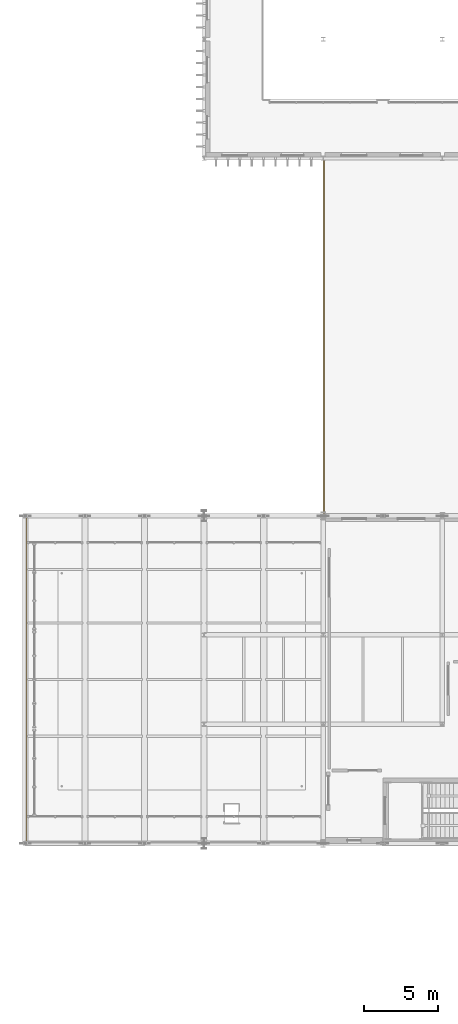
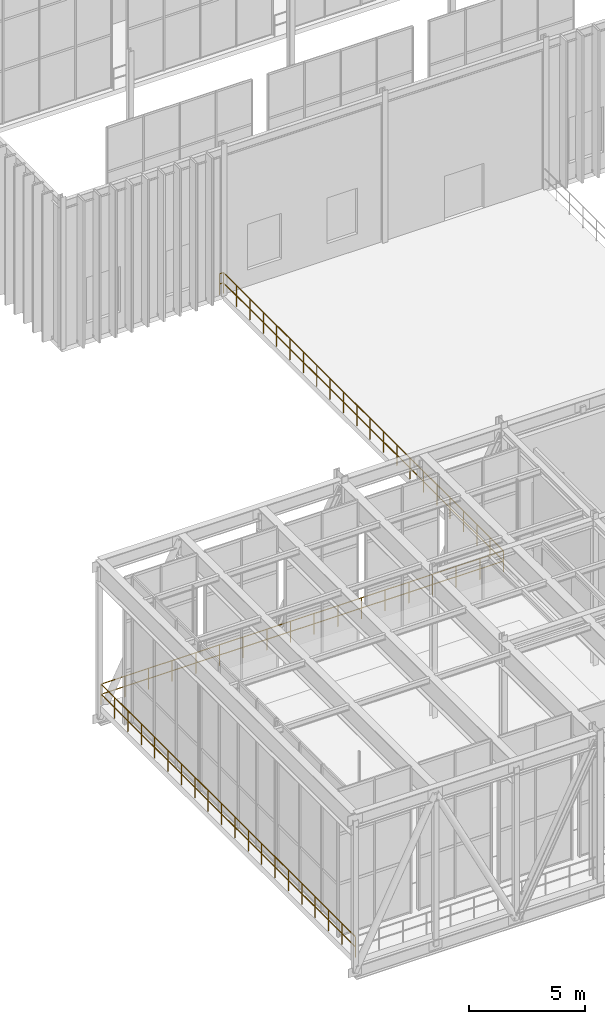
# One storey, part 126 of 138: 1 railing.
"""IFC4 building model written with IfcOpenShell, lengths in metres."""

from ifc_helpers import new_model, si_unit, direction, frame, origin, origin_2d, place, context, subcontext, project, spatial, circle, extrude, material, type_object, element, save


model = new_model("IFC4")

# Units and contexts
model_context = context("Model", 3, precision=1e-05, world=origin(), true_north=direction((0.0, 1.0)))
body_context = subcontext(model_context, "Body", "Model", "MODEL_VIEW")
ifc_project = project(units=[si_unit("LENGTHUNIT", "METRE"), si_unit("AREAUNIT", "SQUARE_METRE"), si_unit("VOLUMEUNIT", "CUBIC_METRE"), si_unit("PLANEANGLEUNIT", "RADIAN"), si_unit("MASSUNIT", "GRAM", prefix="KILO")], contexts=[model_context])

# Site, building, storey
site_placement = place(None, origin())
site = spatial("IfcSite", under=ifc_project, at=site_placement, CompositionType="ELEMENT")
building_placement = place(site_placement, origin())
building = spatial("IfcBuilding", under=site, at=building_placement, Name="Sundkrona Museum", CompositionType="ELEMENT")
storey_placement = place(building_placement, frame((0.0, 0.0, 9.60009765625)))
storey = spatial("IfcBuildingStorey", under=building, at=storey_placement, Name="L02", CompositionType="ELEMENT", Elevation=9.60009765625)

# Railing
ifc_material = material(Name="Painted Steel S355J2 and Laminated Glass Balustrade", Category="steel")
railing_type = type_object("IfcRailingType", Name="RL-GUARD-1100", PredefinedType="BALUSTRADE", material=ifc_material)
railing_placement = place(storey_placement, frame((4.06005859375, 32.06005859375, 0.0)))
element("IfcRailing", 1, at=railing_placement, inside=storey, type_object=railing_type, Name="L02 Edge Protection Balustrade 002", PredefinedType="BALUSTRADE", context=body_context, shape_type="SweptSolid", body=[
    extrude(circle(Radius=0.02392578125, at=origin_2d()), frame((0.0, 0.0, 1.09619140625), z_axis=(0.0, 1.0, 0.0), x_axis=(-1.0, 0.0, 0.0)), (0.0, 0.0, 1.0), 21.8798828125),
    extrude(circle(Radius=0.02392578125, at=origin_2d()), frame((0.0, 0.0, 0.56005859375), z_axis=(0.0, 1.0, 0.0), x_axis=(-1.0, 0.0, 0.0)), (0.0, 0.0, 1.0), 21.8798828125),
    extrude(circle(Radius=0.02392578125, at=origin_2d()), frame((0.0, 21.8798828125, 1.09619140625), z_axis=(1.0, 0.0, 0.0), x_axis=(0.0, 1.0, 0.0)), (0.0, 0.0, 1.0), 20.0),
    extrude(circle(Radius=0.02392578125, at=origin_2d()), frame((0.0, 21.8798828125, 0.56005859375), z_axis=(1.0, 0.0, 0.0), x_axis=(0.0, 1.0, 0.0)), (0.0, 0.0, 1.0), 20.0),
    extrude(circle(Radius=0.02392578125, at=origin_2d()), frame((20.0, 21.8798828125, 1.09619140625), z_axis=(0.0, 1.0, 0.0), x_axis=(-1.0, 0.0, 0.0)), (0.0, 0.0, 1.0), 24.1201171875),
    extrude(circle(Radius=0.02392578125, at=origin_2d()), frame((20.0, 21.8798828125, 0.56005859375), z_axis=(0.0, 1.0, 0.0), x_axis=(-1.0, 0.0, 0.0)), (0.0, 0.0, 1.0), 24.1201171875),
    extrude(circle(Radius=0.02392578125, at=origin_2d()), frame((20.0, 46.0, 1.09619140625), z_axis=(-1.0, 0.0, 0.0), x_axis=(0.0, -1.0, 0.0)), (0.0, 0.0, 1.0), 0.192138671875),
    extrude(circle(Radius=0.02392578125, at=origin_2d()), frame((20.0, 46.0, 0.56005859375), z_axis=(-1.0, 0.0, 0.0), x_axis=(0.0, -1.0, 0.0)), (0.0, 0.0, 1.0), 0.192138671875),
    extrude(circle(Radius=0.02099609375, at=origin_2d()), origin(), (0.0, 0.0, 1.0), 1.072021484375),
    extrude(circle(Radius=0.02099609375, at=origin_2d()), frame((0.0, 1.151611328125, 0.0)), (0.0, 0.0, 1.0), 1.072021484375),
    extrude(circle(Radius=0.02099609375, at=origin_2d()), frame((0.0, 2.30322265625, 0.0)), (0.0, 0.0, 1.0), 1.072021484375),
    extrude(circle(Radius=0.02099609375, at=origin_2d()), frame((0.0, 3.454833984375, 0.0)), (0.0, 0.0, 1.0), 1.072021484375),
    extrude(circle(Radius=0.02099609375, at=origin_2d()), frame((0.0, 4.606201171875, 0.0)), (0.0, 0.0, 1.0), 1.072021484375),
    extrude(circle(Radius=0.02099609375, at=origin_2d()), frame((0.0, 5.7578125, 0.0)), (0.0, 0.0, 1.0), 1.072021484375),
    extrude(circle(Radius=0.02099609375, at=origin_2d()), frame((0.0, 6.909423828125, 0.0)), (0.0, 0.0, 1.0), 1.072021484375),
    extrude(circle(Radius=0.02099609375, at=origin_2d()), frame((0.0, 8.06103515625, 0.0)), (0.0, 0.0, 1.0), 1.072021484375),
    extrude(circle(Radius=0.02099609375, at=origin_2d()), frame((0.0, 9.212646484375, 0.0)), (0.0, 0.0, 1.0), 1.072021484375),
    extrude(circle(Radius=0.02099609375, at=origin_2d()), frame((0.0, 10.3642578125, 0.0)), (0.0, 0.0, 1.0), 1.072021484375),
    extrude(circle(Radius=0.02099609375, at=origin_2d()), frame((0.0, 11.515625, 0.0)), (0.0, 0.0, 1.0), 1.072021484375),
    extrude(circle(Radius=0.02099609375, at=origin_2d()), frame((0.0, 12.667236328125, 0.0)), (0.0, 0.0, 1.0), 1.072021484375),
    extrude(circle(Radius=0.02099609375, at=origin_2d()), frame((0.0, 13.81884765625, 0.0)), (0.0, 0.0, 1.0), 1.072021484375),
    extrude(circle(Radius=0.02099609375, at=origin_2d()), frame((0.0, 14.970458984375, 0.0)), (0.0, 0.0, 1.0), 1.072021484375),
    extrude(circle(Radius=0.02099609375, at=origin_2d()), frame((0.0, 16.1220703125, 0.0)), (0.0, 0.0, 1.0), 1.072021484375),
    extrude(circle(Radius=0.02099609375, at=origin_2d()), frame((0.0, 17.273681640625, 0.0)), (0.0, 0.0, 1.0), 1.072021484375),
    extrude(circle(Radius=0.02099609375, at=origin_2d()), frame((0.0, 18.425048828125, 0.0)), (0.0, 0.0, 1.0), 1.072021484375),
    extrude(circle(Radius=0.02099609375, at=origin_2d()), frame((0.0, 19.57666015625, 0.0)), (0.0, 0.0, 1.0), 1.072021484375),
    extrude(circle(Radius=0.02099609375, at=origin_2d()), frame((0.0, 20.728271484375, 0.0)), (0.0, 0.0, 1.0), 1.072021484375),
    extrude(circle(Radius=0.02099609375, at=origin_2d()), frame((0.0, 21.8798828125, 0.0)), (0.0, 0.0, 1.0), 1.072021484375),
    extrude(circle(Radius=0.02099609375, at=origin_2d()), frame((1.176513671875, 21.8798828125, 0.0)), (0.0, 0.0, 1.0), 1.072021484375),
    extrude(circle(Radius=0.02099609375, at=origin_2d()), frame((2.35302734375, 21.8798828125, 0.0)), (0.0, 0.0, 1.0), 1.072021484375),
    extrude(circle(Radius=0.02099609375, at=origin_2d()), frame((3.529296875, 21.8798828125, 0.0)), (0.0, 0.0, 1.0), 1.072021484375),
    extrude(circle(Radius=0.02099609375, at=origin_2d()), frame((4.705810546875, 21.8798828125, 0.0)), (0.0, 0.0, 1.0), 1.072021484375),
    extrude(circle(Radius=0.02099609375, at=origin_2d()), frame((5.88232421875, 21.8798828125, 0.0)), (0.0, 0.0, 1.0), 1.072021484375),
    extrude(circle(Radius=0.02099609375, at=origin_2d()), frame((7.058837890625, 21.8798828125, 0.0)), (0.0, 0.0, 1.0), 1.072021484375),
    extrude(circle(Radius=0.02099609375, at=origin_2d()), frame((8.2353515625, 21.8798828125, 0.0)), (0.0, 0.0, 1.0), 1.072021484375),
    extrude(circle(Radius=0.02099609375, at=origin_2d()), frame((9.411865234375, 21.8798828125, 0.0)), (0.0, 0.0, 1.0), 1.072021484375),
    extrude(circle(Radius=0.02099609375, at=origin_2d()), frame((10.588134765625, 21.8798828125, 0.0)), (0.0, 0.0, 1.0), 1.072021484375),
    extrude(circle(Radius=0.02099609375, at=origin_2d()), frame((11.7646484375, 21.8798828125, 0.0)), (0.0, 0.0, 1.0), 1.072021484375),
    extrude(circle(Radius=0.02099609375, at=origin_2d()), frame((12.941162109375, 21.8798828125, 0.0)), (0.0, 0.0, 1.0), 1.072021484375),
    extrude(circle(Radius=0.02099609375, at=origin_2d()), frame((14.11767578125, 21.8798828125, 0.0)), (0.0, 0.0, 1.0), 1.072021484375),
    extrude(circle(Radius=0.02099609375, at=origin_2d()), frame((15.294189453125, 21.8798828125, 0.0)), (0.0, 0.0, 1.0), 1.072021484375),
    extrude(circle(Radius=0.02099609375, at=origin_2d()), frame((16.470703125, 21.8798828125, 0.0)), (0.0, 0.0, 1.0), 1.072021484375),
    extrude(circle(Radius=0.02099609375, at=origin_2d()), frame((17.64697265625, 21.8798828125, 0.0)), (0.0, 0.0, 1.0), 1.072021484375),
    extrude(circle(Radius=0.02099609375, at=origin_2d()), frame((18.823486328125, 21.8798828125, 0.0)), (0.0, 0.0, 1.0), 1.072021484375),
    extrude(circle(Radius=0.02099609375, at=origin_2d()), frame((20.0, 21.8798828125, 0.0)), (0.0, 0.0, 1.0), 1.072021484375),
    extrude(circle(Radius=0.02099609375, at=origin_2d()), frame((20.0, 23.028564453125, 0.0)), (0.0, 0.0, 1.0), 1.072021484375),
    extrude(circle(Radius=0.02099609375, at=origin_2d()), frame((20.0, 24.177001953125, 0.0)), (0.0, 0.0, 1.0), 1.072021484375),
    extrude(circle(Radius=0.02099609375, at=origin_2d()), frame((20.0, 25.32568359375, 0.0)), (0.0, 0.0, 1.0), 1.072021484375),
    extrude(circle(Radius=0.02099609375, at=origin_2d()), frame((20.0, 26.47412109375, 0.0)), (0.0, 0.0, 1.0), 1.072021484375),
    extrude(circle(Radius=0.02099609375, at=origin_2d()), frame((20.0, 27.622802734375, 0.0)), (0.0, 0.0, 1.0), 1.072021484375),
    extrude(circle(Radius=0.02099609375, at=origin_2d()), frame((20.0, 28.771240234375, 0.0)), (0.0, 0.0, 1.0), 1.072021484375),
    extrude(circle(Radius=0.02099609375, at=origin_2d()), frame((20.0, 29.919921875, 0.0)), (0.0, 0.0, 1.0), 1.072021484375),
    extrude(circle(Radius=0.02099609375, at=origin_2d()), frame((20.0, 31.068603515625, 0.0)), (0.0, 0.0, 1.0), 1.072021484375),
    extrude(circle(Radius=0.02099609375, at=origin_2d()), frame((20.0, 32.217041015625, 0.0)), (0.0, 0.0, 1.0), 1.072021484375),
    extrude(circle(Radius=0.02099609375, at=origin_2d()), frame((20.0, 33.36572265625, 0.0)), (0.0, 0.0, 1.0), 1.072021484375),
    extrude(circle(Radius=0.02099609375, at=origin_2d()), frame((20.0, 34.51416015625, 0.0)), (0.0, 0.0, 1.0), 1.072021484375),
    extrude(circle(Radius=0.02099609375, at=origin_2d()), frame((20.0, 35.662841796875, 0.0)), (0.0, 0.0, 1.0), 1.072021484375),
    extrude(circle(Radius=0.02099609375, at=origin_2d()), frame((20.0, 36.811279296875, 0.0)), (0.0, 0.0, 1.0), 1.072021484375),
    extrude(circle(Radius=0.02099609375, at=origin_2d()), frame((20.0, 37.9599609375, 0.0)), (0.0, 0.0, 1.0), 1.072021484375),
    extrude(circle(Radius=0.02099609375, at=origin_2d()), frame((20.0, 39.108642578125, 0.0)), (0.0, 0.0, 1.0), 1.072021484375),
    extrude(circle(Radius=0.02099609375, at=origin_2d()), frame((20.0, 40.257080078125, 0.0)), (0.0, 0.0, 1.0), 1.072021484375),
    extrude(circle(Radius=0.02099609375, at=origin_2d()), frame((20.0, 41.40576171875, 0.0)), (0.0, 0.0, 1.0), 1.072021484375),
    extrude(circle(Radius=0.02099609375, at=origin_2d()), frame((20.0, 42.55419921875, 0.0)), (0.0, 0.0, 1.0), 1.072021484375),
    extrude(circle(Radius=0.02099609375, at=origin_2d()), frame((20.0, 43.702880859375, 0.0)), (0.0, 0.0, 1.0), 1.072021484375),
    extrude(circle(Radius=0.02099609375, at=origin_2d()), frame((20.0, 44.851318359375, 0.0)), (0.0, 0.0, 1.0), 1.072021484375),
    extrude(circle(Radius=0.02099609375, at=origin_2d()), frame((20.0, 46.0, 0.0)), (0.0, 0.0, 1.0), 1.072021484375),
    extrude(circle(Radius=0.02099609375, at=origin_2d()), frame((19.807861328125, 46.0, 0.0)), (0.0, 0.0, 1.0), 1.072021484375),
])

save(model, "model.ifc")
